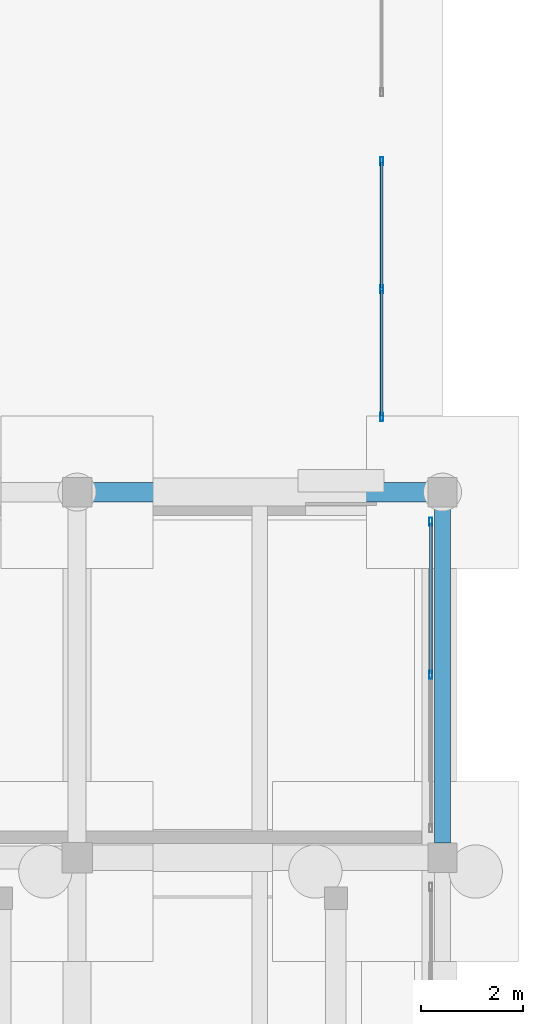
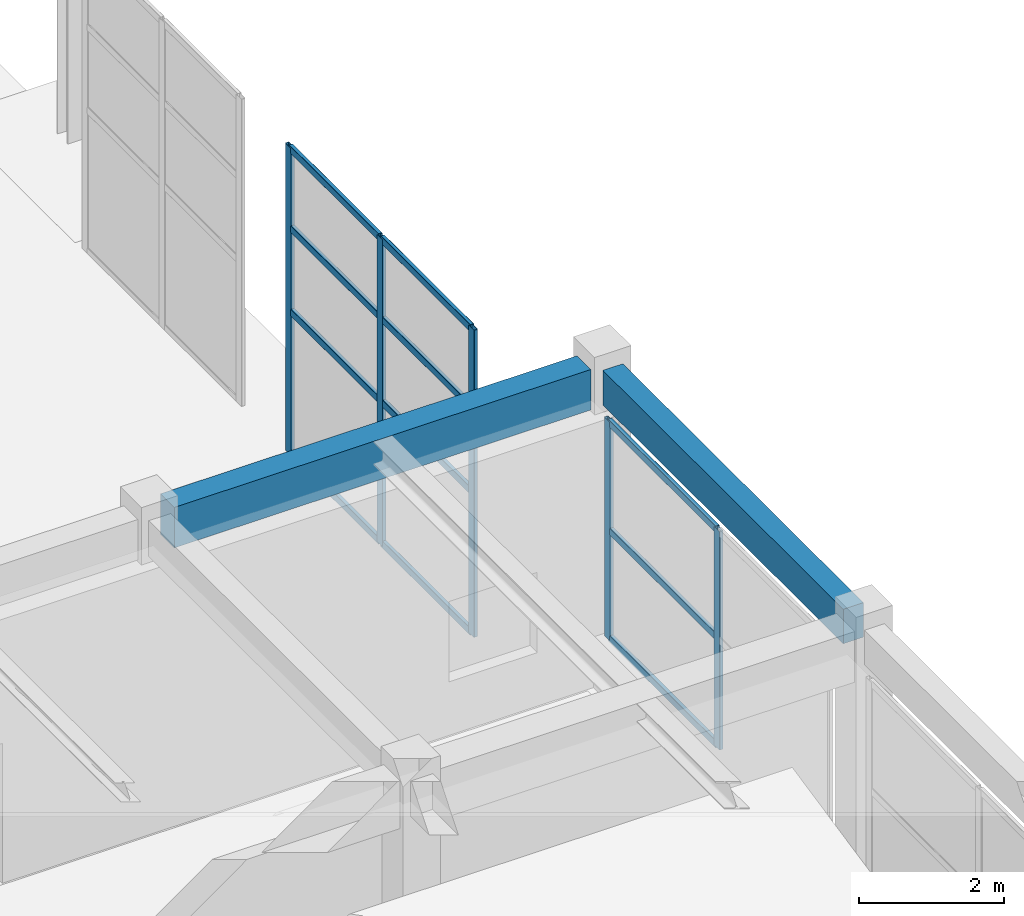
# One storey, part 36 of 91: 16 members, 2 beams, 2 elements without a shape of their own.
"""IFC4 building model written with IfcOpenShell, lengths in metres."""

from ifc_helpers import new_model, si_unit, direction, frame, origin, origin_2d, place, context, subcontext, project, spatial, rectangle, hollow_rectangle, extrude, material, material_profile, profile_set, type_object, element, aggregate, save


model = new_model("IFC4")

# Units and contexts
model_context = context("Model", 3, precision=1e-05, world=origin(), true_north=direction((0.0, 1.0)))
body_context = subcontext(model_context, "Body", "Model", "MODEL_VIEW")
ifc_project = project(units=[si_unit("LENGTHUNIT", "METRE"), si_unit("AREAUNIT", "SQUARE_METRE"), si_unit("VOLUMEUNIT", "CUBIC_METRE"), si_unit("PLANEANGLEUNIT", "RADIAN"), si_unit("MASSUNIT", "GRAM", prefix="KILO")], contexts=[model_context])

# Site, building, storey
site_placement = place(None, origin())
site = spatial("IfcSite", under=ifc_project, at=site_placement, CompositionType="ELEMENT")
building_placement = place(site_placement, origin())
building = spatial("IfcBuilding", under=site, at=building_placement, Name="Bramveld Media Centre", CompositionType="ELEMENT")
storey_placement = place(building_placement, origin())
storey = spatial("IfcBuildingStorey", under=building, at=storey_placement, Name="L00", CompositionType="ELEMENT", Elevation=0.0)

# Curtain wall, members
ifc_material_1 = material(Name="Thermally broken anodized bronze aluminium unitized curtain wall with solar-control triple glazing", Category="aluminium")
curtain_wall_type_1 = type_object("IfcCurtainWallType", Name="CW-FACV3-6100x3670", PredefinedType="NOTDEFINED", material=ifc_material_1)
curtain_wall_1_placement = place(storey_placement, origin())
curtain_wall_1 = element("IfcCurtainWall", 1, at=curtain_wall_1_placement, inside=storey, type_object=curtain_wall_type_1, Name="V3 L00 E curtain wall bay 4", PredefinedType="NOTDEFINED")
ifc_material_2 = material(Name="Thermally broken anodized bronze aluminium EN AW-6063 T6 curtain-wall framing", Category="aluminium")
ifc_material_profile_1 = material_profile(ifc_material_2, hollow_rectangle(XDim=0.06005859375, YDim=0.159912109375, WallThickness=0.00390625, InnerFilletRadius=0.00390625, OuterFilletRadius=0.008056640625, at=origin_2d()), Name="AL-MULL 60x160")
ifc_profile_set_1 = profile_set([ifc_material_profile_1], Name="Thermally broken anodized bronze aluminium EN AW-6063 T6 curtain-wall framing")
member_type_1 = type_object("IfcMemberType", Name="CW-MULL-EXT", PredefinedType="MULLION", material=ifc_profile_set_1)
member_1_placement = place(storey_placement, frame((35.77001953125, 64.39990234375, 0.85009765625), z_axis=(0.0, 0.0, 1.0), x_axis=(-1.0, 0.0, 0.0)))
member_1 = element("IfcMember", 2, at=member_1_placement, type_object=member_type_1, Name="CW-FA-6136 mullion 2", PredefinedType="MULLION", context=body_context, shape_type="SweptSolid", body=[
    extrude(hollow_rectangle(XDim=0.06005859375, YDim=0.159912109375, WallThickness=0.00390625, InnerFilletRadius=0.00390625, OuterFilletRadius=0.008056640625, at=origin_2d()), origin(), (0.0, 0.0, 1.0), 3.669921875),
])
member_2_placement = place(storey_placement, frame((35.77001953125, 67.419921875, 0.85009765625), z_axis=(0.0, 0.0, 1.0), x_axis=(-1.0, 0.0, 0.0)))
member_2 = element("IfcMember", 3, at=member_2_placement, type_object=member_type_1, Name="CW-FA-6136 mullion 3", PredefinedType="MULLION", context=body_context, shape_type="SweptSolid", body=[
    extrude(hollow_rectangle(XDim=0.06005859375, YDim=0.159912109375, WallThickness=0.00390625, InnerFilletRadius=0.00390625, OuterFilletRadius=0.008056640625, at=origin_2d()), origin(), (0.0, 0.0, 1.0), 3.669921875),
])

ifc_material_3 = material(Name="Thermally broken anodized bronze aluminium unitized curtain wall with solar-control triple glazing", Category="aluminium")
curtain_wall_type_2 = type_object("IfcCurtainWallType", Name="CW-GAL-5100x5160", PredefinedType="NOTDEFINED", material=ifc_material_3)
curtain_wall_2_placement = place(storey_placement, origin())
curtain_wall_2 = element("IfcCurtainWall", 4, at=curtain_wall_2_placement, inside=storey, type_object=curtain_wall_type_2, Name="COLN-E colonnade glazed screen 1", PredefinedType="NOTDEFINED")
member_3_placement = place(storey_placement, frame((34.800048828125, 69.47998046875, 0.0), z_axis=(0.0, 0.0, 1.0), x_axis=(-1.0, 0.0, 0.0)))
member_3 = element("IfcMember", 5, at=member_3_placement, type_object=member_type_1, Name="CW-GA-5151 mullion 1", PredefinedType="MULLION", context=body_context, shape_type="SweptSolid", body=[
    extrude(hollow_rectangle(XDim=0.06005859375, YDim=0.159912109375, WallThickness=0.00390625, InnerFilletRadius=0.00390625, OuterFilletRadius=0.008056640625, at=origin_2d()), origin(), (0.0, 0.0, 1.0), 5.159912109375),
])
member_4_placement = place(storey_placement, frame((34.800048828125, 72.0, 0.0), z_axis=(0.0, 0.0, 1.0), x_axis=(-1.0, 0.0, 0.0)))
member_4 = element("IfcMember", 6, at=member_4_placement, type_object=member_type_1, Name="CW-GA-5151 mullion 2", PredefinedType="MULLION", context=body_context, shape_type="SweptSolid", body=[
    extrude(hollow_rectangle(XDim=0.06005859375, YDim=0.159912109375, WallThickness=0.00390625, InnerFilletRadius=0.00390625, OuterFilletRadius=0.008056640625, at=origin_2d()), origin(), (0.0, 0.0, 1.0), 5.159912109375),
])
member_5_placement = place(storey_placement, frame((34.800048828125, 74.52001953125, 0.0), z_axis=(0.0, 0.0, 1.0), x_axis=(-1.0, 0.0, 0.0)))
member_5 = element("IfcMember", 7, at=member_5_placement, type_object=member_type_1, Name="CW-GA-5151 mullion 3", PredefinedType="MULLION", context=body_context, shape_type="SweptSolid", body=[
    extrude(hollow_rectangle(XDim=0.06005859375, YDim=0.159912109375, WallThickness=0.00390625, InnerFilletRadius=0.00390625, OuterFilletRadius=0.008056640625, at=origin_2d()), origin(), (0.0, 0.0, 1.0), 5.159912109375),
])

# Member
ifc_material_4 = material(Name="Thermally broken anodized bronze aluminium EN AW-6063 T6 curtain-wall framing", Category="aluminium")
ifc_material_profile_2 = material_profile(ifc_material_4, hollow_rectangle(XDim=0.06005859375, YDim=0.1201171875, WallThickness=0.00341796875, InnerFilletRadius=0.00341796875, OuterFilletRadius=0.007080078125, at=origin_2d()), Name="AL-TRAN 60x120")
ifc_profile_set_2 = profile_set([ifc_material_profile_2], Name="Thermally broken anodized bronze aluminium EN AW-6063 T6 curtain-wall framing")
member_type_2 = type_object("IfcMemberType", Name="CW-TRAN-EXT", PredefinedType="USERDEFINED", material=ifc_profile_set_2)
member_6_placement = place(storey_placement, frame((35.77001953125, 64.429931640625, 0.8798828125), z_axis=(0.0, 1.0, 0.0), x_axis=(-1.0, 0.0, 0.0)))
member_6 = element("IfcMember", 8, at=member_6_placement, type_object=member_type_2, Name="CW-FA-6136 transom 2.1", ObjectType="TRANSOM", PredefinedType="USERDEFINED", context=body_context, shape_type="SweptSolid", body=[
    extrude(hollow_rectangle(XDim=0.06005859375, YDim=0.1201171875, WallThickness=0.00341796875, InnerFilletRadius=0.00341796875, OuterFilletRadius=0.007080078125, at=origin_2d()), origin(), (0.0, 0.0, 1.0), 2.9599609375),
])

member_7_placement = place(storey_placement, frame((35.77001953125, 64.429931640625, 2.68505859375), z_axis=(0.0, 1.0, 0.0), x_axis=(-1.0, 0.0, 0.0)))
member_7 = element("IfcMember", 9, at=member_7_placement, type_object=member_type_2, Name="CW-FA-6136 transom 2.2", ObjectType="TRANSOM", PredefinedType="USERDEFINED", context=body_context, shape_type="SweptSolid", body=[
    extrude(hollow_rectangle(XDim=0.06005859375, YDim=0.1201171875, WallThickness=0.00341796875, InnerFilletRadius=0.00341796875, OuterFilletRadius=0.007080078125, at=origin_2d()), origin(), (0.0, 0.0, 1.0), 2.9599609375),
])

member_8_placement = place(storey_placement, frame((35.77001953125, 64.429931640625, 4.489990234375), z_axis=(0.0, 1.0, 0.0), x_axis=(-1.0, 0.0, 0.0)))
member_8 = element("IfcMember", 10, at=member_8_placement, type_object=member_type_2, Name="CW-FA-6136 transom 2.3", ObjectType="TRANSOM", PredefinedType="USERDEFINED", context=body_context, shape_type="SweptSolid", body=[
    extrude(hollow_rectangle(XDim=0.06005859375, YDim=0.1201171875, WallThickness=0.00341796875, InnerFilletRadius=0.00341796875, OuterFilletRadius=0.007080078125, at=origin_2d()), origin(), (0.0, 0.0, 1.0), 2.9599609375),
])

aggregate(curtain_wall_1, [member_1, member_2, member_6, member_7, member_8])

member_9_placement = place(storey_placement, frame((34.800048828125, 69.510009765625, 0.030029296875), z_axis=(0.0, 1.0, 0.0), x_axis=(-1.0, 0.0, 0.0)))
member_9 = element("IfcMember", 11, at=member_9_placement, type_object=member_type_2, Name="CW-GA-5151 transom 1.1", ObjectType="TRANSOM", PredefinedType="USERDEFINED", context=body_context, shape_type="SweptSolid", body=[
    extrude(hollow_rectangle(XDim=0.06005859375, YDim=0.1201171875, WallThickness=0.00341796875, InnerFilletRadius=0.00341796875, OuterFilletRadius=0.007080078125, at=origin_2d()), origin(), (0.0, 0.0, 1.0), 2.4599609375),
])

member_10_placement = place(storey_placement, frame((34.800048828125, 69.510009765625, 2.39990234375), z_axis=(0.0, 1.0, 0.0), x_axis=(-1.0, 0.0, 0.0)))
member_10 = element("IfcMember", 12, at=member_10_placement, type_object=member_type_2, Name="CW-GA-5151 transom 1.2", ObjectType="TRANSOM", PredefinedType="USERDEFINED", context=body_context, shape_type="SweptSolid", body=[
    extrude(hollow_rectangle(XDim=0.06005859375, YDim=0.1201171875, WallThickness=0.00341796875, InnerFilletRadius=0.00341796875, OuterFilletRadius=0.007080078125, at=origin_2d()), origin(), (0.0, 0.0, 1.0), 2.4599609375),
])

member_11_placement = place(storey_placement, frame((34.800048828125, 69.510009765625, 3.800048828125), z_axis=(0.0, 1.0, 0.0), x_axis=(-1.0, 0.0, 0.0)))
member_11 = element("IfcMember", 13, at=member_11_placement, type_object=member_type_2, Name="CW-GA-5151 transom 1.3", ObjectType="TRANSOM", PredefinedType="USERDEFINED", context=body_context, shape_type="SweptSolid", body=[
    extrude(hollow_rectangle(XDim=0.06005859375, YDim=0.1201171875, WallThickness=0.00341796875, InnerFilletRadius=0.00341796875, OuterFilletRadius=0.007080078125, at=origin_2d()), origin(), (0.0, 0.0, 1.0), 2.4599609375),
])

member_12_placement = place(storey_placement, frame((34.800048828125, 69.510009765625, 5.1298828125), z_axis=(0.0, 1.0, 0.0), x_axis=(-1.0, 0.0, 0.0)))
member_12 = element("IfcMember", 14, at=member_12_placement, type_object=member_type_2, Name="CW-GA-5151 transom 1.4", ObjectType="TRANSOM", PredefinedType="USERDEFINED", context=body_context, shape_type="SweptSolid", body=[
    extrude(hollow_rectangle(XDim=0.06005859375, YDim=0.1201171875, WallThickness=0.00341796875, InnerFilletRadius=0.00341796875, OuterFilletRadius=0.007080078125, at=origin_2d()), origin(), (0.0, 0.0, 1.0), 2.4599609375),
])

member_13_placement = place(storey_placement, frame((34.800048828125, 72.030029296875, 0.030029296875), z_axis=(0.0, 1.0, 0.0), x_axis=(-1.0, 0.0, 0.0)))
member_13 = element("IfcMember", 15, at=member_13_placement, type_object=member_type_2, Name="CW-GA-5151 transom 2.1", ObjectType="TRANSOM", PredefinedType="USERDEFINED", context=body_context, shape_type="SweptSolid", body=[
    extrude(hollow_rectangle(XDim=0.06005859375, YDim=0.1201171875, WallThickness=0.00341796875, InnerFilletRadius=0.00341796875, OuterFilletRadius=0.007080078125, at=origin_2d()), origin(), (0.0, 0.0, 1.0), 2.4599609375),
])

member_14_placement = place(storey_placement, frame((34.800048828125, 72.030029296875, 2.39990234375), z_axis=(0.0, 1.0, 0.0), x_axis=(-1.0, 0.0, 0.0)))
member_14 = element("IfcMember", 16, at=member_14_placement, type_object=member_type_2, Name="CW-GA-5151 transom 2.2", ObjectType="TRANSOM", PredefinedType="USERDEFINED", context=body_context, shape_type="SweptSolid", body=[
    extrude(hollow_rectangle(XDim=0.06005859375, YDim=0.1201171875, WallThickness=0.00341796875, InnerFilletRadius=0.00341796875, OuterFilletRadius=0.007080078125, at=origin_2d()), origin(), (0.0, 0.0, 1.0), 2.4599609375),
])

member_15_placement = place(storey_placement, frame((34.800048828125, 72.030029296875, 3.800048828125), z_axis=(0.0, 1.0, 0.0), x_axis=(-1.0, 0.0, 0.0)))
member_15 = element("IfcMember", 17, at=member_15_placement, type_object=member_type_2, Name="CW-GA-5151 transom 2.3", ObjectType="TRANSOM", PredefinedType="USERDEFINED", context=body_context, shape_type="SweptSolid", body=[
    extrude(hollow_rectangle(XDim=0.06005859375, YDim=0.1201171875, WallThickness=0.00341796875, InnerFilletRadius=0.00341796875, OuterFilletRadius=0.007080078125, at=origin_2d()), origin(), (0.0, 0.0, 1.0), 2.4599609375),
])

member_16_placement = place(storey_placement, frame((34.800048828125, 72.030029296875, 5.1298828125), z_axis=(0.0, 1.0, 0.0), x_axis=(-1.0, 0.0, 0.0)))
member_16 = element("IfcMember", 18, at=member_16_placement, type_object=member_type_2, Name="CW-GA-5151 transom 2.4", ObjectType="TRANSOM", PredefinedType="USERDEFINED", context=body_context, shape_type="SweptSolid", body=[
    extrude(hollow_rectangle(XDim=0.06005859375, YDim=0.1201171875, WallThickness=0.00341796875, InnerFilletRadius=0.00341796875, OuterFilletRadius=0.007080078125, at=origin_2d()), origin(), (0.0, 0.0, 1.0), 2.4599609375),
])

aggregate(curtain_wall_2, [member_3, member_4, member_5, member_9, member_10, member_11, member_12, member_13, member_14, member_15, member_16])

# Beams
ifc_material_5 = material(Name="Concrete C40/50", Category="concrete")
ifc_material_profile_3 = material_profile(ifc_material_5, rectangle(XDim=0.320068359375, YDim=0.580078125, at=origin_2d()), Name="RC 320x580")
ifc_profile_set_3 = profile_set([ifc_material_profile_3], Name="Concrete C40/50")
beam_type_1 = type_object("IfcBeamType", Name="SPANDREL-EXT-RC-320x580", PredefinedType="SPANDREL", material=ifc_profile_set_3)
beam_1_placement = place(storey_placement, frame((36.0, 61.090087890625, 4.85009765625), z_axis=(0.0, 1.0, 0.0), x_axis=(-1.0, 0.0, 0.0)))
element("IfcBeam", 19, at=beam_1_placement, inside=storey, type_object=beam_type_1, Name="V3 L00 girder Y-238", PredefinedType="SPANDREL", context=body_context, shape_type="SweptSolid", body=[
    extrude(rectangle(XDim=0.320068359375, YDim=0.580078125, at=origin_2d()), origin(), (0.0, 0.0, 1.0), 6.619873046875),
])
ifc_material_6 = material(Name="Concrete C40/50", Category="concrete")
ifc_material_profile_4 = material_profile(ifc_material_6, rectangle(XDim=0.3798828125, YDim=0.679931640625, at=origin_2d()), Name="RC 380x680")
ifc_profile_set_4 = profile_set([ifc_material_profile_4], Name="Concrete C40/50")
beam_type_2 = type_object("IfcBeamType", Name="SPANDREL-EXT-RC-380x680", PredefinedType="SPANDREL", material=ifc_profile_set_4)
beam_2_placement = place(storey_placement, frame((29.090087890625, 68.0, 4.800048828125), z_axis=(1.0, 0.0, 0.0), x_axis=(0.0, 1.0, 0.0)))
element("IfcBeam", 20, at=beam_2_placement, inside=storey, type_object=beam_type_2, Name="V3 L00 girder X-215", PredefinedType="SPANDREL", context=body_context, shape_type="SweptSolid", body=[
    extrude(rectangle(XDim=0.3798828125, YDim=0.679931640625, at=origin_2d()), origin(), (0.0, 0.0, 1.0), 6.619873046875),
])

save(model, "model.ifc")
